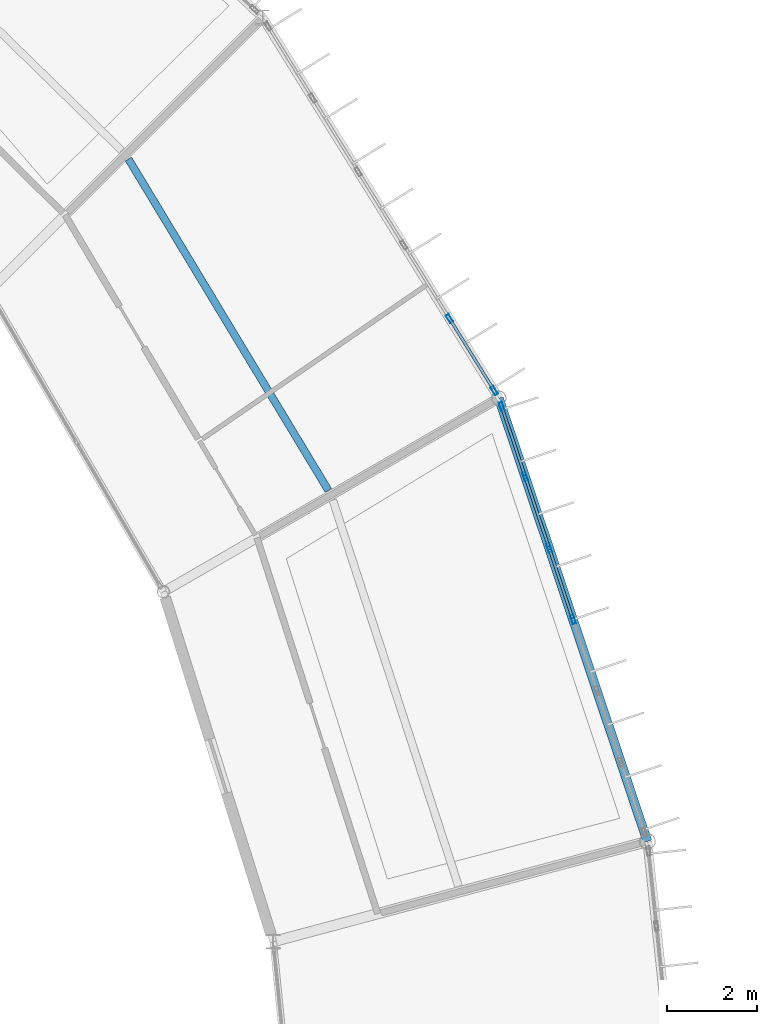
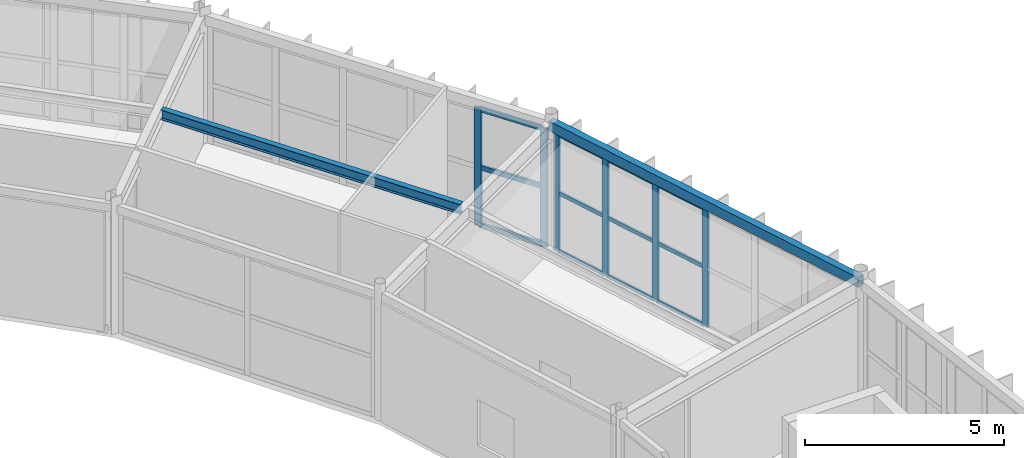
# One storey, part 83 of 147: 18 members, 2 beams, 2 elements without a shape of their own.
"""IFC4 building model written with IfcOpenShell, lengths in metres."""

from ifc_helpers import new_model, si_unit, direction, frame, origin, origin_2d, place, context, subcontext, project, spatial, hollow_rectangle, i_section, extrude, material, material_profile, profile_set, type_object, element, aggregate, save


model = new_model("IFC4")

# Units and contexts
model_context = context("Model", 3, precision=1e-05, world=origin(), true_north=direction((0.0, 1.0)))
body_context = subcontext(model_context, "Body", "Model", "MODEL_VIEW")
ifc_project = project(units=[si_unit("LENGTHUNIT", "METRE"), si_unit("AREAUNIT", "SQUARE_METRE"), si_unit("VOLUMEUNIT", "CUBIC_METRE"), si_unit("PLANEANGLEUNIT", "RADIAN"), si_unit("MASSUNIT", "GRAM", prefix="KILO")], contexts=[model_context])

# Site, building, storey
site_placement = place(None, origin())
site = spatial("IfcSite", under=ifc_project, at=site_placement, CompositionType="ELEMENT")
building_placement = place(site_placement, origin())
building = spatial("IfcBuilding", under=site, at=building_placement, Name="Karori Crest Natural Sciences Institute", CompositionType="ELEMENT")
storey_placement = place(building_placement, frame((0.0, 0.0, 9.10009765625)))
storey = spatial("IfcBuildingStorey", under=building, at=storey_placement, Name="L02", CompositionType="ELEMENT", Elevation=9.10009765625)

# Beams
ifc_material_1 = material(Name="Structural steel AS/NZS 3679.1 Grade 350", Category="steel")
ifc_material_profile_1 = material_profile(ifc_material_1, i_section(OverallWidth=0.1650390625, OverallDepth=0.303955078125, WebThickness=0.006103515625, FlangeThickness=0.01025390625, FilletRadius=0.010986328125, at=origin_2d()), Name="310UB40.4")
ifc_profile_set_1 = profile_set([ifc_material_profile_1], Name="Structural steel AS/NZS 3679.1 Grade 350")
beam_type_1 = type_object("IfcBeamType", Name="BT-10", PredefinedType="BEAM", material=ifc_profile_set_1)
beam_1_placement = place(storey_placement, frame((91.19287109375, 68.252685546875, 3.787841796875), z_axis=(-0.516601017309, 0.856226248672, 0.0), x_axis=(-0.856226248672, -0.516601017309, 0.0)))
element("IfcBeam", 1, at=beam_1_placement, inside=storey, type_object=beam_type_1, Name="Beam B-0280", PredefinedType="BEAM", context=body_context, shape_type="SweptSolid", body=[
    extrude(i_section(OverallWidth=0.1650390625, OverallDepth=0.303955078125, WebThickness=0.006103515625, FlangeThickness=0.01025390625, FilletRadius=0.010986328125, at=origin_2d()), origin(), (0.0, 0.0, 1.0), 8.5888671875),
])
ifc_material_2 = material(Name="Hollow structural steel AS/NZS 1163 Grade C350", Category="steel")
ifc_material_profile_2 = material_profile(ifc_material_2, hollow_rectangle(XDim=0.199951171875, YDim=0.300048828125, WallThickness=0.010009765625, at=origin_2d()), Name="RHS300x200x10")
ifc_profile_set_2 = profile_set([ifc_material_profile_2], Name="Hollow structural steel AS/NZS 1163 Grade C350")
beam_type_2 = type_object("IfcBeamType", Name="BT-15", PredefinedType="SPANDREL", material=ifc_profile_set_2)
beam_2_placement = place(storey_placement, frame((98.275634765625, 60.459716796875, 3.789794921875), z_axis=(-0.317681238028, 0.948197569605, 0.0), x_axis=(-0.948197569605, -0.317681238028, 0.0)))
element("IfcBeam", 2, at=beam_2_placement, inside=storey, type_object=beam_type_2, Name="Beam B-0273", PredefinedType="SPANDREL", context=body_context, shape_type="SweptSolid", body=[
    extrude(hollow_rectangle(XDim=0.199951171875, YDim=0.300048828125, WallThickness=0.010009765625, at=origin_2d()), origin(), (0.0, 0.0, 1.0), 10.3779296875),
])

# Curtain wall, members
ifc_material_3 = material(Name="Anodised architectural aluminium 6063-T6", Category="aluminium")
curtain_wall_type_1 = type_object("IfcCurtainWallType", Name="CWT-02", PredefinedType="NOTDEFINED", material=ifc_material_3)
curtain_wall_1_placement = place(storey_placement, origin())
curtain_wall_1 = element("IfcCurtainWall", 3, at=curtain_wall_1_placement, inside=storey, type_object=curtain_wall_type_1, Name="Curtain wall CW-0067", PredefinedType="NOTDEFINED")
ifc_material_profile_3 = material_profile(ifc_material_3, hollow_rectangle(XDim=0.074951171875, YDim=0.199951171875, WallThickness=0.0048828125, at=origin_2d()), Name="CWM200x75x5")
ifc_profile_set_3 = profile_set([ifc_material_profile_3], Name="Anodised architectural aluminium 6063-T6")
member_type_1 = type_object("IfcMemberType", Name="CWM-02", PredefinedType="MULLION", material=ifc_profile_set_3)
member_1_placement = place(storey_placement, frame((95.04150390625, 70.11279296875, 0.0), z_axis=(0.0, 0.0, 1.0), x_axis=(0.948196219586, 0.317685267462, 0.0)))
member_1 = element("IfcMember", 4, at=member_1_placement, type_object=member_type_1, Name="CW-0067 mullion 1", PredefinedType="MULLION", context=body_context, shape_type="SweptSolid", body=[
    extrude(hollow_rectangle(XDim=0.074951171875, YDim=0.199951171875, WallThickness=0.0048828125, at=origin_2d()), origin(), (0.0, 0.0, 1.0), 3.625),
])
member_2_placement = place(storey_placement, frame((95.561279296875, 68.561279296875, 0.0), z_axis=(0.0, 0.0, 1.0), x_axis=(0.948196219586, 0.317685267462, 0.0)))
member_2 = element("IfcMember", 5, at=member_2_placement, type_object=member_type_1, Name="CW-0067 mullion 2", PredefinedType="MULLION", context=body_context, shape_type="SweptSolid", body=[
    extrude(hollow_rectangle(XDim=0.074951171875, YDim=0.199951171875, WallThickness=0.0048828125, at=origin_2d()), origin(), (0.0, 0.0, 1.0), 3.625),
])
member_3_placement = place(storey_placement, frame((96.093017578125, 66.974365234375, 0.0), z_axis=(0.0, 0.0, 1.0), x_axis=(0.948196219586, 0.317685267462, 0.0)))
member_3 = element("IfcMember", 6, at=member_3_placement, type_object=member_type_1, Name="CW-0067 mullion 3", PredefinedType="MULLION", context=body_context, shape_type="SweptSolid", body=[
    extrude(hollow_rectangle(XDim=0.074951171875, YDim=0.199951171875, WallThickness=0.0048828125, at=origin_2d()), origin(), (0.0, 0.0, 1.0), 3.625),
])
member_4_placement = place(storey_placement, frame((96.624755859375, 65.387451171875, 0.0), z_axis=(0.0, 0.0, 1.0), x_axis=(0.948196219586, 0.317685267462, 0.0)))
member_4 = element("IfcMember", 7, at=member_4_placement, type_object=member_type_1, Name="CW-0067 mullion 4", PredefinedType="MULLION", context=body_context, shape_type="SweptSolid", body=[
    extrude(hollow_rectangle(XDim=0.074951171875, YDim=0.199951171875, WallThickness=0.0048828125, at=origin_2d()), origin(), (0.0, 0.0, 1.0), 3.625),
])

curtain_wall_type_2 = type_object("IfcCurtainWallType", Name="CWT-03", PredefinedType="NOTDEFINED", material=ifc_material_3)
curtain_wall_2_placement = place(storey_placement, origin())
curtain_wall_2 = element("IfcCurtainWall", 8, at=curtain_wall_2_placement, inside=storey, type_object=curtain_wall_type_2, Name="Curtain wall CW-0068", PredefinedType="NOTDEFINED")
member_5_placement = place(storey_placement, frame((93.882568359375, 72.06640625, 0.0), z_axis=(0.0, 0.0, 1.0), x_axis=(0.849665769424, 0.527321609902, 0.0)))
member_5 = element("IfcMember", 9, at=member_5_placement, type_object=member_type_1, Name="CW-0068 mullion 5", PredefinedType="MULLION", context=body_context, shape_type="SweptSolid", body=[
    extrude(hollow_rectangle(XDim=0.074951171875, YDim=0.199951171875, WallThickness=0.0048828125, at=origin_2d()), origin(), (0.0, 0.0, 1.0), 3.625),
])
member_6_placement = place(storey_placement, frame((94.87451171875, 70.4677734375, 0.0), z_axis=(0.0, 0.0, 1.0), x_axis=(0.849665769424, 0.527321609902, 0.0)))
member_6 = element("IfcMember", 10, at=member_6_placement, type_object=member_type_1, Name="CW-0068 mullion 6", PredefinedType="MULLION", context=body_context, shape_type="SweptSolid", body=[
    extrude(hollow_rectangle(XDim=0.074951171875, YDim=0.199951171875, WallThickness=0.0048828125, at=origin_2d()), origin(), (0.0, 0.0, 1.0), 3.625),
])

# Member
ifc_material_profile_4 = material_profile(ifc_material_3, hollow_rectangle(XDim=0.06005859375, YDim=0.1201171875, WallThickness=0.00390625, at=origin_2d()), Name="CWT120x60x4")
ifc_profile_set_4 = profile_set([ifc_material_profile_4], Name="Anodised architectural aluminium 6063-T6")
member_type_2 = type_object("IfcMemberType", Name="CWT-TR1", PredefinedType="USERDEFINED", material=ifc_profile_set_4)
member_7_placement = place(storey_placement, frame((95.053466796875, 70.0771484375, 0.02978515625), z_axis=(0.317634958397, -0.948213073736, 0.0), x_axis=(0.948213073736, 0.317634958397, 0.0)))
member_7 = element("IfcMember", 11, at=member_7_placement, type_object=member_type_2, Name="CW-0067 transom 1.1", ObjectType="TRANSOM", PredefinedType="USERDEFINED", context=body_context, shape_type="SweptSolid", body=[
    extrude(hollow_rectangle(XDim=0.06005859375, YDim=0.1201171875, WallThickness=0.00390625, at=origin_2d()), origin(), (0.0, 0.0, 1.0), 1.56103515625),
])

member_8_placement = place(storey_placement, frame((95.053466796875, 70.0771484375, 1.8125), z_axis=(0.317634958397, -0.948213073736, 0.0), x_axis=(0.948213073736, 0.317634958397, 0.0)))
member_8 = element("IfcMember", 12, at=member_8_placement, type_object=member_type_2, Name="CW-0067 transom 1.2", ObjectType="TRANSOM", PredefinedType="USERDEFINED", context=body_context, shape_type="SweptSolid", body=[
    extrude(hollow_rectangle(XDim=0.06005859375, YDim=0.1201171875, WallThickness=0.00390625, at=origin_2d()), origin(), (0.0, 0.0, 1.0), 1.56103515625),
])

member_9_placement = place(storey_placement, frame((95.053466796875, 70.0771484375, 3.594970703125), z_axis=(0.317634958397, -0.948213073736, 0.0), x_axis=(0.948213073736, 0.317634958397, 0.0)))
member_9 = element("IfcMember", 13, at=member_9_placement, type_object=member_type_2, Name="CW-0067 transom 1.3", ObjectType="TRANSOM", PredefinedType="USERDEFINED", context=body_context, shape_type="SweptSolid", body=[
    extrude(hollow_rectangle(XDim=0.06005859375, YDim=0.1201171875, WallThickness=0.00390625, at=origin_2d()), origin(), (0.0, 0.0, 1.0), 1.56103515625),
])

member_10_placement = place(storey_placement, frame((95.5732421875, 68.52587890625, 0.02978515625), z_axis=(0.317647663217, -0.948208817747, 0.0), x_axis=(0.948208817747, 0.317647663217, 0.0)))
member_10 = element("IfcMember", 14, at=member_10_placement, type_object=member_type_2, Name="CW-0067 transom 2.1", ObjectType="TRANSOM", PredefinedType="USERDEFINED", context=body_context, shape_type="SweptSolid", body=[
    extrude(hollow_rectangle(XDim=0.06005859375, YDim=0.1201171875, WallThickness=0.00390625, at=origin_2d()), origin(), (0.0, 0.0, 1.0), 1.5986328125),
])

member_11_placement = place(storey_placement, frame((95.5732421875, 68.52587890625, 1.8125), z_axis=(0.317647663217, -0.948208817747, 0.0), x_axis=(0.948208817747, 0.317647663217, 0.0)))
member_11 = element("IfcMember", 15, at=member_11_placement, type_object=member_type_2, Name="CW-0067 transom 2.2", ObjectType="TRANSOM", PredefinedType="USERDEFINED", context=body_context, shape_type="SweptSolid", body=[
    extrude(hollow_rectangle(XDim=0.06005859375, YDim=0.1201171875, WallThickness=0.00390625, at=origin_2d()), origin(), (0.0, 0.0, 1.0), 1.5986328125),
])

member_12_placement = place(storey_placement, frame((95.5732421875, 68.52587890625, 3.594970703125), z_axis=(0.317647663217, -0.948208817747, 0.0), x_axis=(0.948208817747, 0.317647663217, 0.0)))
member_12 = element("IfcMember", 16, at=member_12_placement, type_object=member_type_2, Name="CW-0067 transom 2.3", ObjectType="TRANSOM", PredefinedType="USERDEFINED", context=body_context, shape_type="SweptSolid", body=[
    extrude(hollow_rectangle(XDim=0.06005859375, YDim=0.1201171875, WallThickness=0.00390625, at=origin_2d()), origin(), (0.0, 0.0, 1.0), 1.5986328125),
])

member_13_placement = place(storey_placement, frame((96.10498046875, 66.938720703125, 0.02978515625), z_axis=(0.317647663217, -0.948208817747, 0.0), x_axis=(0.948208817747, 0.317647663217, 0.0)))
member_13 = element("IfcMember", 17, at=member_13_placement, type_object=member_type_2, Name="CW-0067 transom 3.1", ObjectType="TRANSOM", PredefinedType="USERDEFINED", context=body_context, shape_type="SweptSolid", body=[
    extrude(hollow_rectangle(XDim=0.06005859375, YDim=0.1201171875, WallThickness=0.00390625, at=origin_2d()), origin(), (0.0, 0.0, 1.0), 1.5986328125),
])

member_14_placement = place(storey_placement, frame((96.10498046875, 66.938720703125, 1.8125), z_axis=(0.317647663217, -0.948208817747, 0.0), x_axis=(0.948208817747, 0.317647663217, 0.0)))
member_14 = element("IfcMember", 18, at=member_14_placement, type_object=member_type_2, Name="CW-0067 transom 3.2", ObjectType="TRANSOM", PredefinedType="USERDEFINED", context=body_context, shape_type="SweptSolid", body=[
    extrude(hollow_rectangle(XDim=0.06005859375, YDim=0.1201171875, WallThickness=0.00390625, at=origin_2d()), origin(), (0.0, 0.0, 1.0), 1.5986328125),
])

member_15_placement = place(storey_placement, frame((96.10498046875, 66.938720703125, 3.594970703125), z_axis=(0.317647663217, -0.948208817747, 0.0), x_axis=(0.948208817747, 0.317647663217, 0.0)))
member_15 = element("IfcMember", 19, at=member_15_placement, type_object=member_type_2, Name="CW-0067 transom 3.3", ObjectType="TRANSOM", PredefinedType="USERDEFINED", context=body_context, shape_type="SweptSolid", body=[
    extrude(hollow_rectangle(XDim=0.06005859375, YDim=0.1201171875, WallThickness=0.00390625, at=origin_2d()), origin(), (0.0, 0.0, 1.0), 1.5986328125),
])

aggregate(curtain_wall_1, [member_1, member_2, member_3, member_4, member_7, member_8, member_9, member_10, member_11, member_12, member_13, member_14, member_15])

ifc_material_profile_5 = material_profile(ifc_material_3, hollow_rectangle(XDim=0.06494140625, YDim=0.14990234375, WallThickness=0.00390625, at=origin_2d()), Name="CWT150x65x4")
ifc_profile_set_5 = profile_set([ifc_material_profile_5], Name="Anodised architectural aluminium 6063-T6")
member_type_3 = type_object("IfcMemberType", Name="CWT-TR2", PredefinedType="USERDEFINED", material=ifc_profile_set_5)
member_16_placement = place(storey_placement, frame((93.90234375, 72.034423828125, 0.032470703125), z_axis=(0.527238374605, -0.849717421467, 0.0), x_axis=(0.849717421467, 0.527238374605, 0.0)))
member_16 = element("IfcMember", 20, at=member_16_placement, type_object=member_type_3, Name="CW-0068 transom 5.1", ObjectType="TRANSOM", PredefinedType="USERDEFINED", context=body_context, shape_type="SweptSolid", body=[
    extrude(hollow_rectangle(XDim=0.06494140625, YDim=0.14990234375, WallThickness=0.00390625, at=origin_2d()), origin(), (0.0, 0.0, 1.0), 1.806396484375),
])

member_17_placement = place(storey_placement, frame((93.90234375, 72.034423828125, 1.8125), z_axis=(0.527238374605, -0.849717421467, 0.0), x_axis=(0.849717421467, 0.527238374605, 0.0)))
member_17 = element("IfcMember", 21, at=member_17_placement, type_object=member_type_3, Name="CW-0068 transom 5.2", ObjectType="TRANSOM", PredefinedType="USERDEFINED", context=body_context, shape_type="SweptSolid", body=[
    extrude(hollow_rectangle(XDim=0.06494140625, YDim=0.14990234375, WallThickness=0.00390625, at=origin_2d()), origin(), (0.0, 0.0, 1.0), 1.806396484375),
])

member_18_placement = place(storey_placement, frame((93.90234375, 72.034423828125, 3.59228515625), z_axis=(0.527238374605, -0.849717421467, 0.0), x_axis=(0.849717421467, 0.527238374605, 0.0)))
member_18 = element("IfcMember", 22, at=member_18_placement, type_object=member_type_3, Name="CW-0068 transom 5.3", ObjectType="TRANSOM", PredefinedType="USERDEFINED", context=body_context, shape_type="SweptSolid", body=[
    extrude(hollow_rectangle(XDim=0.06494140625, YDim=0.14990234375, WallThickness=0.00390625, at=origin_2d()), origin(), (0.0, 0.0, 1.0), 1.806396484375),
])

aggregate(curtain_wall_2, [member_5, member_6, member_16, member_17, member_18])

save(model, "model.ifc")
